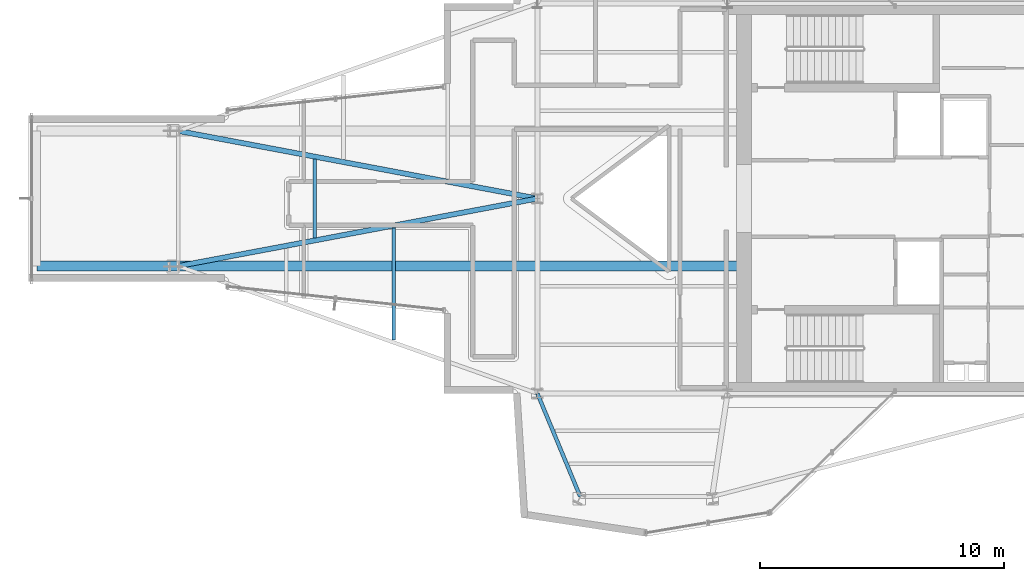
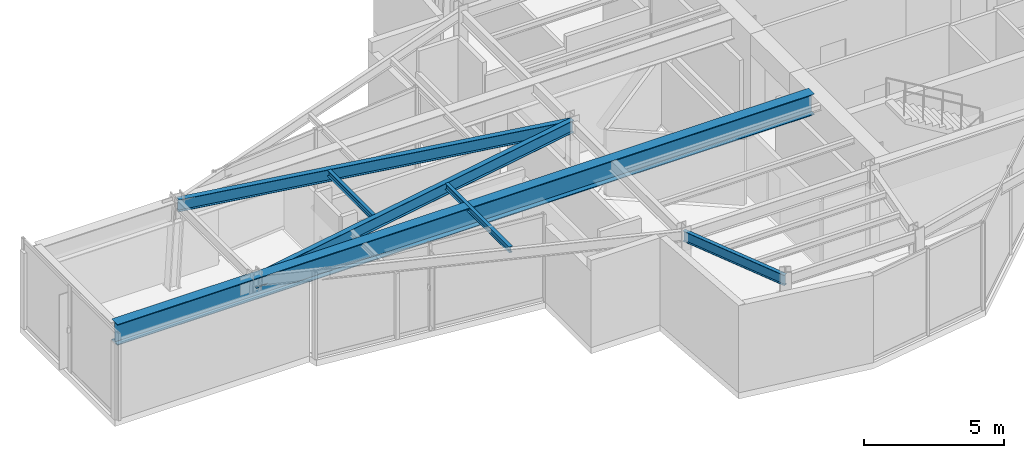
# One storey, part 3 of 18: 6 beams.
"""IFC4 building model written with IfcOpenShell, lengths in metres."""

from ifc_helpers import new_model, si_unit, direction, frame, origin, origin_2d, place, context, subcontext, project, spatial, i_section, extrude, material, material_profile, profile_set, type_object, element, save


model = new_model("IFC4")

# Units and contexts
model_context = context("Model", 3, precision=1e-05, world=origin(), true_north=direction((0.0, 1.0)))
body_context = subcontext(model_context, "Body", "Model", "MODEL_VIEW")
ifc_project = project(units=[si_unit("LENGTHUNIT", "METRE"), si_unit("AREAUNIT", "SQUARE_METRE"), si_unit("VOLUMEUNIT", "CUBIC_METRE"), si_unit("PLANEANGLEUNIT", "RADIAN"), si_unit("MASSUNIT", "GRAM", prefix="KILO")], contexts=[model_context])

# Site, building, storey
site_placement = place(None, origin())
site = spatial("IfcSite", under=ifc_project, at=site_placement, CompositionType="ELEMENT")
building_placement = place(site_placement, origin())
building = spatial("IfcBuilding", under=site, at=building_placement, Name="Veymaron Broadcast Tower", CompositionType="ELEMENT")
storey_placement = place(building_placement, frame((0.0, 0.0, 319.5)))
storey = spatial("IfcBuildingStorey", under=building, at=storey_placement, Name="L75", CompositionType="ELEMENT", Elevation=319.5)

# Beams
ifc_material = material(Name="Structural steel ASTM A992 Gr 50", Category="steel")
ifc_material_profile_1 = material_profile(ifc_material, i_section(OverallWidth=0.41796875, OverallDepth=0.912109375, WebThickness=0.019287109375, FlangeThickness=0.031982421875, at=origin_2d()), Name="W920X342")
ifc_profile_set_1 = profile_set([ifc_material_profile_1], Name="Structural steel ASTM A992 Gr 50")
beam_type_1 = type_object("IfcBeamType", Name="BM-CL1", PredefinedType="BEAM", material=ifc_profile_set_1)
beam_1_placement = place(storey_placement, frame((39.5, 21.22802734375, 3.35400390625), z_axis=(-1.0, 0.0, 0.0), x_axis=(0.0, -1.0, 0.0)))
element("IfcBeam", 1, at=beam_1_placement, inside=storey, type_object=beam_type_1, Name="L75 Sky-Lounge Cantilever Backspan Girder S", PredefinedType="BEAM", context=body_context, shape_type="SweptSolid", body=[
    extrude(i_section(OverallWidth=0.41796875, OverallDepth=0.912109375, WebThickness=0.019287109375, FlangeThickness=0.031982421875, at=origin_2d()), origin(), (0.0, 0.0, 1.0), 28.84130859375),
])
ifc_material_profile_2 = material_profile(ifc_material, i_section(OverallWidth=0.208984375, OverallDepth=0.528076171875, WebThickness=0.009521484375, FlangeThickness=0.01318359375, at=origin_2d()), Name="W530X82")
ifc_profile_set_2 = profile_set([ifc_material_profile_2], Name="Structural steel ASTM A992 Gr 50")
beam_type_2 = type_object("IfcBeamType", Name="BM-FG4", PredefinedType="BEAM", material=ifc_profile_set_2)
for number, where, z_axis, x_axis, name in (
    (2, (16.46630859375, 21.22802734375, 3.5458984375), (0.982758253447, 0.184895146724, 0.0), (-0.184895146724, 0.982758253447, 0.0), "L75 primary structural floor girder"),
    (3, (16.46630859375, 26.77197265625, 3.5458984375), (0.982758253447, -0.184895146724, 0.0), (0.184895146724, 0.982758253447, 0.0), "L75 primary structural floor girder"),
):
    element("IfcBeam", number, at=place(storey_placement, frame(where, z_axis=z_axis, x_axis=x_axis)), inside=storey, type_object=beam_type_2, Name=name, PredefinedType="BEAM", context=body_context, shape_type="SweptSolid", body=[
        extrude(i_section(OverallWidth=0.208984375, OverallDepth=0.528076171875, WebThickness=0.009521484375, FlangeThickness=0.01318359375, at=origin_2d()), origin(), (0.0, 0.0, 1.0), 14.9921875),
    ])
ifc_material_profile_3 = material_profile(ifc_material, i_section(OverallWidth=0.14599609375, OverallDepth=0.258056640625, WebThickness=0.006103515625, FlangeThickness=0.009033203125, at=origin_2d()), Name="W250X33")
ifc_profile_set_3 = profile_set([ifc_material_profile_3], Name="Structural steel ASTM A992 Gr 50")
beam_type_3 = type_object("IfcBeamType", Name="BM-JS4", PredefinedType="JOIST", material=ifc_profile_set_3)
beam_2_placement = place(storey_placement, frame((22.065185546875, 22.38134765625, 3.680908203125), z_axis=(0.0, 1.0, 0.0), x_axis=(-1.0, 0.0, 0.0)))
element("IfcBeam", 4, at=beam_2_placement, inside=storey, type_object=beam_type_3, Name="L75 Arm-A secondary joist 1M", PredefinedType="JOIST", context=body_context, shape_type="SweptSolid", body=[
    extrude(i_section(OverallWidth=0.14599609375, OverallDepth=0.258056640625, WebThickness=0.006103515625, FlangeThickness=0.009033203125, at=origin_2d()), origin(), (0.0, 0.0, 1.0), 3.2373046875),
])
beam_3_placement = place(storey_placement, frame((25.306640625, 18.191162109375, 3.680908203125), z_axis=(0.0, 1.0, 0.0), x_axis=(-1.0, 0.0, 0.0)))
element("IfcBeam", 5, at=beam_3_placement, inside=storey, type_object=beam_type_3, Name="L75 Arm-A secondary joist 2S", PredefinedType="JOIST", context=body_context, shape_type="SweptSolid", body=[
    extrude(i_section(OverallWidth=0.14599609375, OverallDepth=0.258056640625, WebThickness=0.006103515625, FlangeThickness=0.009033203125, at=origin_2d()), origin(), (0.0, 0.0, 1.0), 4.60009765625),
])
ifc_material_profile_4 = material_profile(ifc_material, i_section(OverallWidth=0.154052734375, OverallDepth=0.458984375, WebThickness=0.009033203125, FlangeThickness=0.015380859375, at=origin_2d()), Name="W460X68")
ifc_profile_set_4 = profile_set([ifc_material_profile_4], Name="Structural steel ASTM A992 Gr 50")
beam_type_4 = type_object("IfcBeamType", Name="BM-SP2", PredefinedType="SPANDREL", material=ifc_profile_set_4)
beam_4_placement = place(storey_placement, frame((31.199951171875, 16.0, 3.58056640625), z_axis=(0.383730045724, -0.923445316198, 0.0), x_axis=(0.923445316198, 0.383730045724, 0.0)))
element("IfcBeam", 6, at=beam_4_placement, inside=storey, type_object=beam_type_4, Name="L75 primary structural floor girder", PredefinedType="SPANDREL", context=body_context, shape_type="SweptSolid", body=[
    extrude(i_section(OverallWidth=0.154052734375, OverallDepth=0.458984375, WebThickness=0.009033203125, FlangeThickness=0.015380859375, at=origin_2d()), origin(), (0.0, 0.0, 1.0), 4.582763671875),
])

save(model, "model.ifc")
